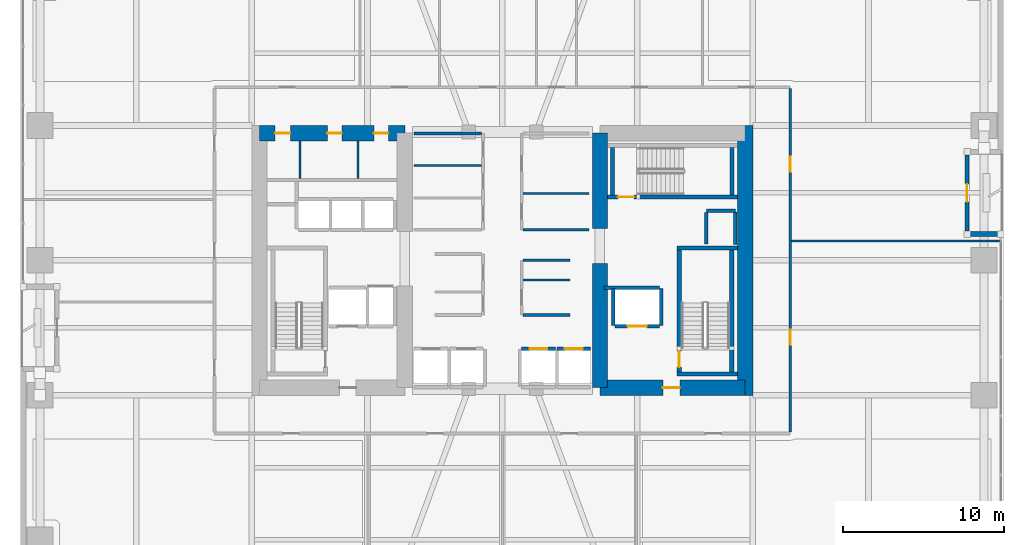
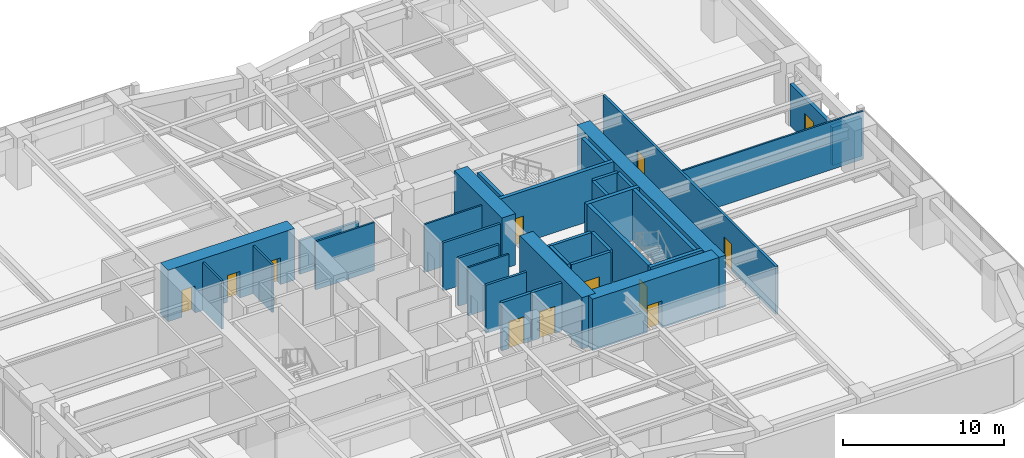
# One storey, part 24 of 28: 34 walls, 12 doors, 12 openings.
"""IFC4 building model written with IfcOpenShell, lengths in metres."""

from ifc_helpers import new_model, si_unit, direction, frame, frame_2d, origin, place, context, subcontext, project, spatial, rectangle, extrude, material, layer, layer_set, type_object, element, fill, save


model = new_model("IFC4")

# Units and contexts
model_context = context("Model", 3, precision=1e-05, world=origin(), true_north=direction((0.0, 1.0)))
body_context = subcontext(model_context, "Body", "Model", "MODEL_VIEW")
ifc_project = project(units=[si_unit("LENGTHUNIT", "METRE"), si_unit("AREAUNIT", "SQUARE_METRE"), si_unit("VOLUMEUNIT", "CUBIC_METRE"), si_unit("PLANEANGLEUNIT", "RADIAN"), si_unit("MASSUNIT", "GRAM", prefix="KILO")], contexts=[model_context])

# Site, building, storey
site_placement = place(None, origin())
site = spatial("IfcSite", under=ifc_project, at=site_placement, CompositionType="ELEMENT")
building_placement = place(site_placement, origin())
building = spatial("IfcBuilding", under=site, at=building_placement, Name="Kiyonajd Concourse Tower", CompositionType="ELEMENT")
storey_placement = place(building_placement, frame((0.0, 0.0, 41.10009765625)))
storey = spatial("IfcBuildingStorey", under=building, at=storey_placement, Name="L11", CompositionType="ELEMENT", Elevation=41.10009765625)

# Wall, openings, doors
ifc_material_1 = material(Name="Concrete C80/95", Category="concrete")
ifc_layer_1 = layer(ifc_material_1, 0.949951171875)
ifc_layer_set_1 = layer_set([ifc_layer_1], Name="Concrete C80/95")
wall_type_1 = type_object("IfcWallType", Name="WL-CORE-950", PredefinedType="SHEAR", material=ifc_layer_set_1)
wall_1_placement = place(storey_placement, frame((32.875, 43.925048828125, 0.0), z_axis=(0.0, 0.0, 1.0), x_axis=(1.0, 0.0, 0.0)))
wall_1 = element("IfcWall", 1, at=wall_1_placement, inside=storey, type_object=wall_type_1, Name="L11 West Core North Shear Wall", PredefinedType="SHEAR", context=body_context, shape_type="SweptSolid", body=[
    extrude(rectangle(XDim=9.050048828125, YDim=0.949951171875, at=frame_2d((4.52490234375, 0.0))), origin(), (0.0, 0.0, 1.0), 3.89990234375),
])
opening_1_placement = place(wall_1_placement, frame((0.97509765625, 0.0, 0.0)))
opening_1 = element("IfcOpeningElement", 2, at=opening_1_placement, cuts=wall_1, Name="Opening DI1", PredefinedType="OPENING", context=body_context, shape_type="SweptSolid", body=[
    extrude(rectangle(XDim=0.949951171875, YDim=2.0400390625, at=frame_2d((0.47509765625, 1.02001953125))), frame((0.0, 0.48486328125, 0.0), z_axis=(0.0, -1.0, 0.0), x_axis=(1.0, 0.0, 0.0)), (0.0, 0.0, 1.0), 0.969970703125),
])
opening_2_placement = place(wall_1_placement, frame((4.22509765625, 0.0, 0.0)))
opening_2 = element("IfcOpeningElement", 3, at=opening_2_placement, cuts=wall_1, Name="Opening DI2", PredefinedType="OPENING", context=body_context, shape_type="SweptSolid", body=[
    extrude(rectangle(XDim=0.89990234375, YDim=2.02001953125, at=frame_2d((0.449951171875, 1.010009765625))), frame((0.0, 0.48486328125, 0.0), z_axis=(0.0, -1.0, 0.0), x_axis=(1.0, 0.0, 0.0)), (0.0, 0.0, 1.0), 0.969970703125),
])
opening_3_placement = place(wall_1_placement, frame((7.125, 0.0, 0.0)))
opening_3 = element("IfcOpeningElement", 4, at=opening_3_placement, cuts=wall_1, Name="Opening DI2", PredefinedType="OPENING", context=body_context, shape_type="SweptSolid", body=[
    extrude(rectangle(XDim=0.89990234375, YDim=2.02001953125, at=frame_2d((0.449951171875, 1.010009765625))), frame((0.0, 0.48486328125, 0.0), z_axis=(0.0, -1.0, 0.0), x_axis=(1.0, 0.0, 0.0)), (0.0, 0.0, 1.0), 0.969970703125),
])
ifc_material_2 = material(Name="Natural Oak Acoustic Timber Veneer", Category="wood")
door_type_1 = type_object("IfcDoorType", Name="DR-INT-900", OperationType="NOTDEFINED", PredefinedType="DOOR", material=ifc_material_2)
door_1_placement = place(opening_2_placement, origin())
door_1 = element("IfcDoor", 5, at=door_1_placement, inside=storey, type_object=door_type_1, Name="L11 Male Restroom Door", OperationType="SINGLE_SWING_RIGHT", OverallHeight=2.02001953125, OverallWidth=0.89990234375, PredefinedType="DOOR", context=body_context, shape_type="SweptSolid", body=[
    extrude(rectangle(XDim=0.89990234375, YDim=2.02001953125, at=frame_2d((0.449951171875, 1.010009765625))), frame((0.0, 0.02490234375, 0.0), z_axis=(0.0, -1.0, 0.0), x_axis=(1.0, 0.0, 0.0)), (0.0, 0.0, 1.0), 0.050048828125),
])
fill(opening_2, door_1)
door_2_placement = place(opening_3_placement, origin())
door_2 = element("IfcDoor", 6, at=door_2_placement, inside=storey, type_object=door_type_1, Name="L11 Female Restroom Door", OperationType="SINGLE_SWING_LEFT", OverallHeight=2.02001953125, OverallWidth=0.89990234375, PredefinedType="DOOR", context=body_context, shape_type="SweptSolid", body=[
    extrude(rectangle(XDim=0.89990234375, YDim=2.02001953125, at=frame_2d((0.449951171875, 1.010009765625))), frame((0.0, 0.02490234375, 0.0), z_axis=(0.0, -1.0, 0.0), x_axis=(1.0, 0.0, 0.0)), (0.0, 0.0, 1.0), 0.050048828125),
])
fill(opening_3, door_2)
door_type_2 = type_object("IfcDoorType", Name="DR-INT-950", OperationType="NOTDEFINED", PredefinedType="DOOR", material=ifc_material_2)
door_3_placement = place(opening_1_placement, origin())
door_3 = element("IfcDoor", 7, at=door_3_placement, inside=storey, type_object=door_type_2, Name="L11 Single User Accessible WC Door", OperationType="SINGLE_SWING_LEFT", OverallHeight=2.0400390625, OverallWidth=0.949951171875, PredefinedType="DOOR", context=body_context, shape_type="SweptSolid", body=[
    extrude(rectangle(XDim=0.949951171875, YDim=2.0400390625, at=frame_2d((0.47509765625, 1.02001953125))), frame((0.0, 0.02490234375, 0.0), z_axis=(0.0, -1.0, 0.0), x_axis=(1.0, 0.0, 0.0)), (0.0, 0.0, 1.0), 0.050048828125),
])
fill(opening_1, door_3)

# Walls
wall_2_placement = place(storey_placement, frame((54.074951171875, 28.074951171875, 0.0), z_axis=(0.0, 0.0, 1.0), x_axis=(0.0, 1.0, 0.0)))
element("IfcWall", 8, at=wall_2_placement, inside=storey, type_object=wall_type_1, Name="L11 East Core Inner South Shear Wall", PredefinedType="SHEAR", context=body_context, shape_type="SweptSolid", body=[
    extrude(rectangle(XDim=7.72509765625, YDim=0.949951171875, at=frame_2d((3.862548828125, 0.0))), origin(), (0.0, 0.0, 1.0), 3.89990234375),
])
wall_3_placement = place(storey_placement, frame((54.074951171875, 38.0, 0.0), z_axis=(0.0, 0.0, 1.0), x_axis=(0.0, 1.0, 0.0)))
element("IfcWall", 9, at=wall_3_placement, inside=storey, type_object=wall_type_1, Name="L11 East Core Inner North Shear Wall", PredefinedType="SHEAR", context=body_context, shape_type="SweptSolid", body=[
    extrude(rectangle(XDim=5.925048828125, YDim=0.949951171875, at=frame_2d((2.96240234375, 0.0))), origin(), (0.0, 0.0, 1.0), 3.89990234375),
])
wall_4_placement = place(storey_placement, frame((63.125, 27.60009765625, 0.0), z_axis=(0.0, 0.0, 1.0), x_axis=(0.0, 1.0, 0.0)))
element("IfcWall", 10, at=wall_4_placement, inside=storey, type_object=wall_type_1, Name="L11 East Core Outer Shear Wall", PredefinedType="SHEAR", context=body_context, shape_type="SweptSolid", body=[
    extrude(rectangle(XDim=16.7998046875, YDim=0.949951171875, at=frame_2d((8.39990234375, 0.0))), origin(), (0.0, 0.0, 1.0), 3.89990234375),
])

# Wall, opening, door
wall_5_placement = place(storey_placement, frame((54.074951171875, 28.074951171875, 0.0), z_axis=(0.0, 0.0, 1.0), x_axis=(1.0, 0.0, 0.0)))
wall_5 = element("IfcWall", 11, at=wall_5_placement, inside=storey, type_object=wall_type_1, Name="L11 East Core South Shear Wall", PredefinedType="SHEAR", context=body_context, shape_type="SweptSolid", body=[
    extrude(rectangle(XDim=9.050048828125, YDim=0.949951171875, at=frame_2d((4.52490234375, 0.0))), origin(), (0.0, 0.0, 1.0), 3.89990234375),
])
opening_4_placement = place(wall_5_placement, frame((3.925048828125, 0.0, 0.0)))
opening_4 = element("IfcOpeningElement", 12, at=opening_4_placement, cuts=wall_5, Name="Opening DF5", PredefinedType="OPENING", context=body_context, shape_type="SweptSolid", body=[
    extrude(rectangle(XDim=1.050048828125, YDim=2.0400390625, at=frame_2d((0.52490234375, 1.02001953125))), frame((0.0, 0.48486328125, 0.0), z_axis=(0.0, -1.0, 0.0), x_axis=(1.0, 0.0, 0.0)), (0.0, 0.0, 1.0), 0.969970703125),
])
ifc_material_3 = material(Name="Brushed Stainless Steel Cab Assembly", Category="steel")
door_type_3 = type_object("IfcDoorType", Name="DR-FD45-1050", OperationType="NOTDEFINED", PredefinedType="DOOR", material=ifc_material_3)
door_4_placement = place(opening_4_placement, origin())
door_4 = element("IfcDoor", 13, at=door_4_placement, inside=storey, type_object=door_type_3, Name="L11 Firefighting Lift Lobby E Smoke Door", OperationType="SINGLE_SWING_RIGHT", OverallHeight=2.0400390625, OverallWidth=1.050048828125, PredefinedType="DOOR", context=body_context, shape_type="SweptSolid", body=[
    extrude(rectangle(XDim=1.050048828125, YDim=2.0400390625, at=frame_2d((0.52490234375, 1.02001953125))), frame((0.0, 0.02490234375, 0.0), z_axis=(0.0, -1.0, 0.0), x_axis=(1.0, 0.0, 0.0)), (0.0, 0.0, 1.0), 0.050048828125),
])
fill(opening_4, door_4)

# Wall
ifc_material_4 = material(Name="Precast concrete C50/60", Category="concrete")
ifc_layer_2 = layer(ifc_material_4, 0.320068359375)
ifc_layer_set_2 = layer_set([ifc_layer_2], Name="Precast concrete C50/60")
wall_type_2 = type_object("IfcWallType", Name="WL-EXT-320", PredefinedType="SOLIDWALL", material=ifc_layer_set_2)
wall_6_placement = place(storey_placement, frame((76.93994140625, 37.639892578125, 0.0), z_axis=(0.0, 0.0, 1.0), x_axis=(1.0, 0.0, 0.0)))
element("IfcWall", 14, at=wall_6_placement, inside=storey, type_object=wall_type_2, Name="L11 Exterior Concrete Frame Wall 23", PredefinedType="SOLIDWALL", context=body_context, shape_type="SweptSolid", body=[
    extrude(rectangle(XDim=2.10009765625, YDim=0.320068359375, at=frame_2d((1.050048828125, 0.0))), origin(), (0.0, 0.0, 1.0), 2.875),
])

# Wall, opening, door
ifc_layer_3 = layer(ifc_material_4, 0.239990234375)
ifc_layer_set_3 = layer_set([ifc_layer_3], Name="Precast concrete C50/60")
wall_type_3 = type_object("IfcWallType", Name="WL-LOG-240", PredefinedType="SOLIDWALL", material=ifc_layer_set_3)
wall_7_placement = place(storey_placement, frame((76.93994140625, 42.56494140625, 0.0), z_axis=(0.0, 0.0, 1.0), x_axis=(0.0, -1.0, 0.0)))
wall_7 = element("IfcWall", 15, at=wall_7_placement, inside=storey, type_object=wall_type_3, Name="L11 Recessed Loggia Thermal Wall LOG-E", PredefinedType="SOLIDWALL", context=body_context, shape_type="SweptSolid", body=[
    extrude(rectangle(XDim=4.72998046875, YDim=0.239990234375, at=frame_2d((2.364990234375, 0.0))), origin(), (0.0, 0.0, 1.0), 3.161865234375),
])
opening_5_placement = place(wall_7_placement, frame((1.81494140625, 0.0, 0.0)))
opening_5 = element("IfcOpeningElement", 16, at=opening_5_placement, cuts=wall_7, Name="Opening DL2", PredefinedType="OPENING", context=body_context, shape_type="SweptSolid", body=[
    extrude(rectangle(XDim=1.10009765625, YDim=2.0400390625, at=frame_2d((0.550048828125, 1.02001953125))), frame((0.0, 0.1298828125, 0.0), z_axis=(0.0, -1.0, 0.0), x_axis=(1.0, 0.0, 0.0)), (0.0, 0.0, 1.0), 0.260009765625),
])
ifc_material_5 = material(Name="Thermally Broken Anodised Aluminium", Category="aluminium")
door_type_4 = type_object("IfcDoorType", Name="DR-LOG-1100", OperationType="NOTDEFINED", PredefinedType="DOOR", material=ifc_material_5)
door_5_placement = place(opening_5_placement, origin())
door_5 = element("IfcDoor", 17, at=door_5_placement, inside=storey, type_object=door_type_4, Name="L11 Engawa Loggia Access Door LOG-E", OperationType="SINGLE_SWING_LEFT", OverallHeight=2.0400390625, OverallWidth=1.10009765625, PredefinedType="DOOR", context=body_context, shape_type="SweptSolid", body=[
    extrude(rectangle(XDim=1.10009765625, YDim=2.0400390625, at=frame_2d((0.550048828125, 1.02001953125))), frame((0.0, 0.02490234375, 0.0), z_axis=(0.0, -1.0, 0.0), x_axis=(1.0, 0.0, 0.0)), (0.0, 0.0, 1.0), 0.050048828125),
])
fill(opening_5, door_5)

# Walls
ifc_material_6 = material(Name="Gypsum Board on Cold-Formed Steel Stud", Category="steel")
ifc_layer_4 = layer(ifc_material_6, 0.125)
ifc_layer_set_4 = layer_set([ifc_layer_4], Name="Gypsum Board on Cold-Formed Steel Stud")
wall_type_4 = type_object("IfcWallType", Name="WL-PART-125", PredefinedType="PARTITIONING", material=ifc_layer_set_4)
for number, where, z_axis, x_axis, name in (
    (18, (35.39990234375, 41.094970703125, 0.0), (0.0, 0.0, 1.0), (0.0, 1.0, 0.0), "L11 Interior Partition Wall"),
    (19, (39.0, 41.094970703125, 0.0), (0.0, 0.0, 1.0), (0.0, 1.0, 0.0), "L11 Interior Partition Wall"),
):
    element("IfcWall", number, at=place(storey_placement, frame(where, z_axis=z_axis, x_axis=x_axis)), inside=storey, type_object=wall_type_4, Name=name, PredefinedType="PARTITIONING", context=body_context, shape_type="SweptSolid", body=[
        extrude(rectangle(XDim=2.35498046875, YDim=0.125, at=frame_2d((1.177490234375, 0.0))), origin(), (0.0, 0.0, 1.0), 3.639892578125),
    ])
wall_8_placement = place(storey_placement, frame((49.287109375, 34.77587890625, 0.0), z_axis=(0.0, 0.0, 1.0), x_axis=(1.0, 0.0, 0.0)))
element("IfcWall", 20, at=wall_8_placement, inside=storey, type_object=wall_type_4, Name="L11 Interior Partition Wall", PredefinedType="PARTITIONING", context=body_context, shape_type="SweptSolid", body=[
    extrude(rectangle(XDim=2.912841796875, YDim=0.125, at=frame_2d((1.45654296875, 0.0))), origin(), (0.0, 0.0, 1.0), 3.639892578125),
])
wall_9_placement = place(storey_placement, frame((42.5, 41.919921875, 0.0), z_axis=(0.0, 0.0, 1.0), x_axis=(1.0, 0.0, 0.0)))
element("IfcWall", 21, at=wall_9_placement, inside=storey, type_object=wall_type_4, Name="L11 Interior Partition Wall", PredefinedType="PARTITIONING", context=body_context, shape_type="SweptSolid", body=[
    extrude(rectangle(XDim=4.212890625, YDim=0.125, at=frame_2d((2.1064453125, 0.0))), origin(), (0.0, 0.0, 1.0), 3.639892578125),
])
wall_10_placement = place(storey_placement, frame((49.287109375, 40.179931640625, 0.0), z_axis=(0.0, 0.0, 1.0), x_axis=(1.0, 0.0, 0.0)))
element("IfcWall", 22, at=wall_10_placement, inside=storey, type_object=wall_type_4, Name="L11 Interior Partition Wall", PredefinedType="PARTITIONING", context=body_context, shape_type="SweptSolid", body=[
    extrude(rectangle(XDim=4.11279296875, YDim=0.125, at=frame_2d((2.056396484375, 0.0))), origin(), (0.0, 0.0, 1.0), 3.639892578125),
])
wall_11_placement = place(storey_placement, frame((66.011962890625, 37.199951171875, 0.0), z_axis=(0.0, 0.0, 1.0), x_axis=(1.0, 0.0, 0.0)))
element("IfcWall", 23, at=wall_11_placement, inside=storey, type_object=wall_type_4, Name="L11 Interior Partition Wall", PredefinedType="PARTITIONING", context=body_context, shape_type="SweptSolid", body=[
    extrude(rectangle(XDim=12.943115234375, YDim=0.125, at=frame_2d((6.4716796875, 0.0))), origin(), (0.0, 0.0, 1.0), 3.639892578125),
])
ifc_layer_5 = layer(ifc_material_6, 0.2099609375)
ifc_layer_set_5 = layer_set([ifc_layer_5], Name="Gypsum Board on Cold-Formed Steel Stud")
wall_type_5 = type_object("IfcWallType", Name="WL-SHAFT-210", PredefinedType="PARTITIONING", material=ifc_layer_set_5)
wall_12_placement = place(storey_placement, frame((60.719970703125, 39.10009765625, 0.0), z_axis=(0.0, 0.0, 1.0), x_axis=(1.0, 0.0, 0.0)))
element("IfcWall", 24, at=wall_12_placement, inside=storey, type_object=wall_type_5, Name="L11 Shaft Enclosure Wall", PredefinedType="PARTITIONING", context=body_context, shape_type="SweptSolid", body=[
    extrude(rectangle(XDim=1.800048828125, YDim=0.2099609375, at=frame_2d((0.89990234375, 0.0))), origin(), (0.0, 0.0, 1.0), 3.639892578125),
])
wall_13_placement = place(storey_placement, frame((60.699951171875, 37.02001953125, 0.0), z_axis=(0.0, 0.0, 1.0), x_axis=(0.0, 1.0, 0.0)))
element("IfcWall", 25, at=wall_13_placement, inside=storey, type_object=wall_type_5, Name="L11 Shaft Enclosure Wall", PredefinedType="PARTITIONING", context=body_context, shape_type="SweptSolid", body=[
    extrude(rectangle(XDim=1.9599609375, YDim=0.2099609375, at=frame_2d((0.97998046875, 0.0))), origin(), (0.0, 0.0, 1.0), 3.639892578125),
])
wall_14_placement = place(storey_placement, frame((62.5, 36.97998046875, 0.0), z_axis=(0.0, 0.0, 1.0), x_axis=(0.0, 1.0, 0.0)))
element("IfcWall", 26, at=wall_14_placement, inside=storey, type_object=wall_type_5, Name="L11 Shaft Enclosure Wall", PredefinedType="PARTITIONING", context=body_context, shape_type="SweptSolid", body=[
    extrude(rectangle(XDim=2.0400390625, YDim=0.2099609375, at=frame_2d((1.02001953125, 0.0))), origin(), (0.0, 0.0, 1.0), 3.639892578125),
])

# Wall, opening, door
wall_15_placement = place(storey_placement, frame((55.0, 31.89990234375, 0.0), z_axis=(0.0, 0.0, 1.0), x_axis=(1.0, 0.0, 0.0)))
wall_15 = element("IfcWall", 27, at=wall_15_placement, inside=storey, type_object=wall_type_5, Name="L11 Shaft Enclosure Wall", PredefinedType="PARTITIONING", context=body_context, shape_type="SweptSolid", body=[
    extrude(rectangle(XDim=2.800048828125, YDim=0.2099609375, at=frame_2d((1.39990234375, 0.0))), origin(), (0.0, 0.0, 1.0), 3.639892578125),
])
opening_6_placement = place(wall_15_placement, frame((0.800048828125, 0.0, 0.0)))
opening_6 = element("IfcOpeningElement", 28, at=opening_6_placement, cuts=wall_15, Name="Opening LD2", PredefinedType="OPENING", context=body_context, shape_type="SweptSolid", body=[
    extrude(rectangle(XDim=1.199951171875, YDim=2.0400390625, at=frame_2d((0.60009765625, 1.02001953125))), frame((0.0, 0.114990234375, 0.0), z_axis=(0.0, -1.0, 0.0), x_axis=(1.0, 0.0, 0.0)), (0.0, 0.0, 1.0), 0.22998046875),
])
door_type_5 = type_object("IfcDoorType", Name="DR-LD-1200", OperationType="DOUBLE_DOOR_SLIDING", PredefinedType="DOOR", material=ifc_material_3)
door_6_placement = place(opening_6_placement, origin())
door_6 = element("IfcDoor", 29, at=door_6_placement, inside=storey, type_object=door_type_5, Name="L11 Lift FFL2 Sliding Landing Door", OperationType="DOUBLE_DOOR_SLIDING", OverallHeight=2.0400390625, OverallWidth=1.199951171875, PredefinedType="DOOR", context=body_context, shape_type="SweptSolid", body=[
    extrude(rectangle(XDim=1.199951171875, YDim=2.0400390625, at=frame_2d((0.60009765625, 1.02001953125))), frame((0.0, 0.02490234375, 0.0), z_axis=(0.0, -1.0, 0.0), x_axis=(1.0, 0.0, 0.0)), (0.0, 0.0, 1.0), 0.050048828125),
])
fill(opening_6, door_6)

# Walls
wall_16_placement = place(storey_placement, frame((54.320068359375, 34.300048828125, 0.0), z_axis=(0.0, 0.0, 1.0), x_axis=(1.0, 0.0, 0.0)))
element("IfcWall", 30, at=wall_16_placement, inside=storey, type_object=wall_type_5, Name="L11 Shaft Enclosure Wall", PredefinedType="PARTITIONING", context=body_context, shape_type="SweptSolid", body=[
    extrude(rectangle(XDim=3.47998046875, YDim=0.2099609375, at=frame_2d((1.739990234375, 0.0))), origin(), (0.0, 0.0, 1.0), 3.639892578125),
])
for number, where, z_axis, x_axis, name in (
    (31, (54.89990234375, 31.9599609375, 0.0), (0.0, 0.0, 1.0), (0.0, 1.0, 0.0), "L11 Shaft Enclosure Wall"),
    (32, (57.89990234375, 31.9599609375, 0.0), (0.0, 0.0, 1.0), (0.0, 1.0, 0.0), "L11 Shaft Enclosure Wall"),
):
    element("IfcWall", number, at=place(storey_placement, frame(where, z_axis=z_axis, x_axis=x_axis)), inside=storey, type_object=wall_type_5, Name=name, PredefinedType="PARTITIONING", context=body_context, shape_type="SweptSolid", body=[
        extrude(rectangle(XDim=2.280029296875, YDim=0.2099609375, at=frame_2d((1.14013671875, 0.0))), origin(), (0.0, 0.0, 1.0), 3.639892578125),
    ])

# Wall, opening, door
wall_17_placement = place(storey_placement, frame((49.199951171875, 30.5, 0.0), z_axis=(0.0, 0.0, 1.0), x_axis=(1.0, 0.0, 0.0)))
wall_17 = element("IfcWall", 33, at=wall_17_placement, inside=storey, type_object=wall_type_5, Name="L11 Shaft Enclosure Wall", PredefinedType="PARTITIONING", context=body_context, shape_type="SweptSolid", body=[
    extrude(rectangle(XDim=2.10009765625, YDim=0.2099609375, at=frame_2d((1.050048828125, 0.0))), origin(), (0.0, 0.0, 1.0), 3.639892578125),
])
opening_7_placement = place(wall_17_placement, frame((0.5, 0.0, 0.0)))
opening_7 = element("IfcOpeningElement", 34, at=opening_7_placement, cuts=wall_17, Name="Opening LD1", PredefinedType="OPENING", context=body_context, shape_type="SweptSolid", body=[
    extrude(rectangle(XDim=1.10009765625, YDim=2.0400390625, at=frame_2d((0.550048828125, 1.02001953125))), frame((0.0, 0.114990234375, 0.0), z_axis=(0.0, -1.0, 0.0), x_axis=(1.0, 0.0, 0.0)), (0.0, 0.0, 1.0), 0.22998046875),
])
door_type_6 = type_object("IfcDoorType", Name="DR-LD-1100", OperationType="DOUBLE_DOOR_SLIDING", PredefinedType="DOOR", material=ifc_material_3)
door_7_placement = place(opening_7_placement, origin())
door_7 = element("IfcDoor", 35, at=door_7_placement, inside=storey, type_object=door_type_6, Name="L11 Lift PL-L3 Sliding Landing Door", OperationType="DOUBLE_DOOR_SLIDING", OverallHeight=2.0400390625, OverallWidth=1.10009765625, PredefinedType="DOOR", context=body_context, shape_type="SweptSolid", body=[
    extrude(rectangle(XDim=1.10009765625, YDim=2.0400390625, at=frame_2d((0.550048828125, 1.02001953125))), frame((0.0, 0.02490234375, 0.0), z_axis=(0.0, -1.0, 0.0), x_axis=(1.0, 0.0, 0.0)), (0.0, 0.0, 1.0), 0.050048828125),
])
fill(opening_7, door_7)

wall_18_placement = place(storey_placement, frame((51.39990234375, 30.5, 0.0), z_axis=(0.0, 0.0, 1.0), x_axis=(1.0, 0.0, 0.0)))
wall_18 = element("IfcWall", 36, at=wall_18_placement, inside=storey, type_object=wall_type_5, Name="L11 Shaft Enclosure Wall", PredefinedType="PARTITIONING", context=body_context, shape_type="SweptSolid", body=[
    extrude(rectangle(XDim=2.10009765625, YDim=0.2099609375, at=frame_2d((1.050048828125, 0.0))), origin(), (0.0, 0.0, 1.0), 3.639892578125),
])
opening_8_placement = place(wall_18_placement, frame((0.5, 0.0, 0.0)))
opening_8 = element("IfcOpeningElement", 37, at=opening_8_placement, cuts=wall_18, Name="Opening LD1", PredefinedType="OPENING", context=body_context, shape_type="SweptSolid", body=[
    extrude(rectangle(XDim=1.10009765625, YDim=2.0400390625, at=frame_2d((0.550048828125, 1.02001953125))), frame((0.0, 0.114990234375, 0.0), z_axis=(0.0, -1.0, 0.0), x_axis=(1.0, 0.0, 0.0)), (0.0, 0.0, 1.0), 0.22998046875),
])
door_8_placement = place(opening_8_placement, origin())
door_8 = element("IfcDoor", 38, at=door_8_placement, inside=storey, type_object=door_type_6, Name="L11 Lift PL-L4 Sliding Landing Door", OperationType="DOUBLE_DOOR_SLIDING", OverallHeight=2.0400390625, OverallWidth=1.10009765625, PredefinedType="DOOR", context=body_context, shape_type="SweptSolid", body=[
    extrude(rectangle(XDim=1.10009765625, YDim=2.0400390625, at=frame_2d((0.550048828125, 1.02001953125))), frame((0.0, 0.02490234375, 0.0), z_axis=(0.0, -1.0, 0.0), x_axis=(1.0, 0.0, 0.0)), (0.0, 0.0, 1.0), 0.050048828125),
])
fill(opening_8, door_8)

# Walls
ifc_layer_6 = layer(ifc_material_6, 0.169921875)
ifc_layer_set_6 = layer_set([ifc_layer_6], Name="Gypsum Board on Cold-Formed Steel Stud")
wall_type_6 = type_object("IfcWallType", Name="WL-SMK-170", PredefinedType="PARTITIONING", material=ifc_layer_set_6)
for number, where, z_axis, x_axis, name in (
    (39, (49.287109375, 32.60009765625, 0.0), (0.0, 0.0, 1.0), (1.0, 0.0, 0.0), "L11 Interior Partition Wall"),
    (40, (49.287109375, 36.0, 0.0), (0.0, 0.0, 1.0), (1.0, 0.0, 0.0), "L11 Interior Partition Wall"),
):
    element("IfcWall", number, at=place(storey_placement, frame(where, z_axis=z_axis, x_axis=x_axis)), inside=storey, type_object=wall_type_6, Name=name, PredefinedType="PARTITIONING", context=body_context, shape_type="SweptSolid", body=[
        extrude(rectangle(XDim=2.912841796875, YDim=0.169921875, at=frame_2d((1.45654296875, 0.0))), origin(), (0.0, 0.0, 1.0), 3.639892578125),
    ])
wall_19_placement = place(storey_placement, frame((42.5, 43.89990234375, 0.0), z_axis=(0.0, 0.0, 1.0), x_axis=(1.0, 0.0, 0.0)))
element("IfcWall", 41, at=wall_19_placement, inside=storey, type_object=wall_type_6, Name="L11 Interior Partition Wall", PredefinedType="PARTITIONING", context=body_context, shape_type="SweptSolid", body=[
    extrude(rectangle(XDim=4.212890625, YDim=0.169921875, at=frame_2d((2.1064453125, 0.0))), origin(), (0.0, 0.0, 1.0), 2.52490234375),
])
wall_20_placement = place(storey_placement, frame((49.287109375, 37.89990234375, 0.0), z_axis=(0.0, 0.0, 1.0), x_axis=(1.0, 0.0, 0.0)))
element("IfcWall", 42, at=wall_20_placement, inside=storey, type_object=wall_type_6, Name="L11 Interior Partition Wall", PredefinedType="PARTITIONING", context=body_context, shape_type="SweptSolid", body=[
    extrude(rectangle(XDim=4.11279296875, YDim=0.169921875, at=frame_2d((2.056396484375, 0.0))), origin(), (0.0, 0.0, 1.0), 3.639892578125),
])

# Wall, openings, doors
wall_21_placement = place(storey_placement, frame((65.925048828125, 25.306884765625, 0.0), z_axis=(0.0, 0.0, 1.0), x_axis=(0.0, 1.0, 0.0)))
wall_21 = element("IfcWall", 43, at=wall_21_placement, inside=storey, type_object=wall_type_6, Name="L11 Interior Partition Wall", PredefinedType="PARTITIONING", context=body_context, shape_type="SweptSolid", body=[
    extrude(rectangle(XDim=21.38623046875, YDim=0.169921875, at=frame_2d((10.693115234375, 0.0))), origin(), (0.0, 0.0, 1.0), 3.639892578125),
])
opening_9_placement = place(wall_21_placement, frame((5.427978515625, 0.0, 0.0)))
opening_9 = element("IfcOpeningElement", 44, at=opening_9_placement, cuts=wall_21, Name="Opening DI1", PredefinedType="OPENING", context=body_context, shape_type="SweptSolid", body=[
    extrude(rectangle(XDim=0.949951171875, YDim=2.0400390625, at=frame_2d((0.47509765625, 1.02001953125))), frame((0.0, 0.094970703125, 0.0), z_axis=(0.0, -1.0, 0.0), x_axis=(1.0, 0.0, 0.0)), (0.0, 0.0, 1.0), 0.18994140625),
])
opening_10_placement = place(wall_21_placement, frame((16.2080078125, 0.0, 0.0)))
opening_10 = element("IfcOpeningElement", 45, at=opening_10_placement, cuts=wall_21, Name="Opening DI1", PredefinedType="OPENING", context=body_context, shape_type="SweptSolid", body=[
    extrude(rectangle(XDim=0.949951171875, YDim=2.0400390625, at=frame_2d((0.47509765625, 1.02001953125))), frame((0.0, 0.094970703125, 0.0), z_axis=(0.0, -1.0, 0.0), x_axis=(1.0, 0.0, 0.0)), (0.0, 0.0, 1.0), 0.18994140625),
])
door_9_placement = place(opening_9_placement, origin())
door_9 = element("IfcDoor", 46, at=door_9_placement, inside=storey, type_object=door_type_2, Name="L11 Interior Door", OperationType="SINGLE_SWING_RIGHT", OverallHeight=2.0400390625, OverallWidth=0.949951171875, PredefinedType="DOOR", context=body_context, shape_type="SweptSolid", body=[
    extrude(rectangle(XDim=0.949951171875, YDim=2.0400390625, at=frame_2d((0.47509765625, 1.02001953125))), frame((0.0, 0.02490234375, 0.0), z_axis=(0.0, -1.0, 0.0), x_axis=(1.0, 0.0, 0.0)), (0.0, 0.0, 1.0), 0.050048828125),
])
fill(opening_9, door_9)
door_10_placement = place(opening_10_placement, origin())
door_10 = element("IfcDoor", 47, at=door_10_placement, inside=storey, type_object=door_type_2, Name="L11 Interior Door", OperationType="SINGLE_SWING_LEFT", OverallHeight=2.0400390625, OverallWidth=0.949951171875, PredefinedType="DOOR", context=body_context, shape_type="SweptSolid", body=[
    extrude(rectangle(XDim=0.949951171875, YDim=2.0400390625, at=frame_2d((0.47509765625, 1.02001953125))), frame((0.0, 0.02490234375, 0.0), z_axis=(0.0, -1.0, 0.0), x_axis=(1.0, 0.0, 0.0)), (0.0, 0.0, 1.0), 0.050048828125),
])
fill(opening_10, door_10)

# Walls
ifc_material_7 = material(Name="Concrete C50/60", Category="concrete")
ifc_layer_7 = layer(ifc_material_7, 0.260009765625)
ifc_layer_set_7 = layer_set([ifc_layer_7], Name="Concrete C50/60")
wall_type_7 = type_object("IfcWallType", Name="WL-STAIR-260", PredefinedType="SHEAR", material=ifc_layer_set_7)
for number, where, z_axis, x_axis, name in (
    (48, (58.889892578125, 28.919921875, 0.0), (0.0, 0.0, 1.0), (1.0, 0.0, 0.0), "L11 Stair ST2 Structural South Wall"),
    (49, (58.889892578125, 36.780029296875, 0.0), (0.0, 0.0, 1.0), (1.0, 0.0, 0.0), "L11 Stair ST2 Structural North Wall"),
):
    element("IfcWall", number, at=place(storey_placement, frame(where, z_axis=z_axis, x_axis=x_axis)), inside=storey, type_object=wall_type_7, Name=name, PredefinedType="SHEAR", context=body_context, shape_type="SweptSolid", body=[
        extrude(rectangle(XDim=3.760009765625, YDim=0.260009765625, at=frame_2d((1.8798828125, 0.0))), origin(), (0.0, 0.0, 1.0), 3.89990234375),
    ])

# Wall, opening, door
wall_22_placement = place(storey_placement, frame((59.02001953125, 29.050048828125, 0.0), z_axis=(0.0, 0.0, 1.0), x_axis=(0.0, 1.0, 0.0)))
wall_22 = element("IfcWall", 50, at=wall_22_placement, inside=storey, type_object=wall_type_7, Name="L11 Stair ST2 Structural West Wall", PredefinedType="SHEAR", context=body_context, shape_type="SweptSolid", body=[
    extrude(rectangle(XDim=7.599853515625, YDim=0.260009765625, at=frame_2d((3.7998046875, 0.0))), origin(), (0.0, 0.0, 1.0), 3.89990234375),
])
opening_11_placement = place(wall_22_placement, frame((0.300048828125, 0.0, 0.0)))
opening_11 = element("IfcOpeningElement", 51, at=opening_11_placement, cuts=wall_22, Name="Opening DF1", PredefinedType="OPENING", context=body_context, shape_type="SweptSolid", body=[
    extrude(rectangle(XDim=1.0, YDim=2.0400390625, at=frame_2d((0.5, 1.02001953125))), frame((0.0, 0.139892578125, 0.0), z_axis=(0.0, -1.0, 0.0), x_axis=(1.0, 0.0, 0.0)), (0.0, 0.0, 1.0), 0.280029296875),
])
door_type_7 = type_object("IfcDoorType", Name="DR-FD90-1000", OperationType="NOTDEFINED", PredefinedType="DOOR", material=ifc_material_3)
door_11_placement = place(opening_11_placement, origin())
door_11 = element("IfcDoor", 52, at=door_11_placement, inside=storey, type_object=door_type_7, Name="L11 Stair ST2 FSAE Door", OperationType="SINGLE_SWING_RIGHT", OverallHeight=2.0400390625, OverallWidth=1.0, PredefinedType="DOOR", context=body_context, shape_type="SweptSolid", body=[
    extrude(rectangle(XDim=1.0, YDim=2.0400390625, at=frame_2d((0.5, 1.02001953125))), frame((0.0, 0.02490234375, 0.0), z_axis=(0.0, -1.0, 0.0), x_axis=(1.0, 0.0, 0.0)), (0.0, 0.0, 1.0), 0.050048828125),
])
fill(opening_11, door_11)

# Wall
wall_23_placement = place(storey_placement, frame((62.280029296875, 29.050048828125, 0.0), z_axis=(0.0, 0.0, 1.0), x_axis=(0.0, 1.0, 0.0)))
element("IfcWall", 53, at=wall_23_placement, inside=storey, type_object=wall_type_7, Name="L11 Stair ST2 Structural East Wall", PredefinedType="SHEAR", context=body_context, shape_type="SweptSolid", body=[
    extrude(rectangle(XDim=7.599853515625, YDim=0.260009765625, at=frame_2d((3.7998046875, 0.0))), origin(), (0.0, 0.0, 1.0), 3.89990234375),
])

# Wall, opening, door
wall_24_placement = place(storey_placement, frame((54.550048828125, 39.949951171875, 0.0), z_axis=(0.0, 0.0, 1.0), x_axis=(1.0, 0.0, 0.0)))
wall_24 = element("IfcWall", 54, at=wall_24_placement, inside=storey, type_object=wall_type_7, Name="L11 Stair ST3 Structural South Wall", PredefinedType="SHEAR", context=body_context, shape_type="SweptSolid", body=[
    extrude(rectangle(XDim=8.099853515625, YDim=0.260009765625, at=frame_2d((4.0498046875, 0.0))), origin(), (0.0, 0.0, 1.0), 3.89990234375),
])
opening_12_placement = place(wall_24_placement, frame((0.64990234375, 0.0, 0.0)))
opening_12 = element("IfcOpeningElement", 55, at=opening_12_placement, cuts=wall_24, Name="Opening DF1", PredefinedType="OPENING", context=body_context, shape_type="SweptSolid", body=[
    extrude(rectangle(XDim=1.0, YDim=2.0400390625, at=frame_2d((0.5, 1.02001953125))), frame((0.0, 0.139892578125, 0.0), z_axis=(0.0, -1.0, 0.0), x_axis=(1.0, 0.0, 0.0)), (0.0, 0.0, 1.0), 0.280029296875),
])
door_12_placement = place(opening_12_placement, origin())
door_12 = element("IfcDoor", 56, at=door_12_placement, inside=storey, type_object=door_type_7, Name="L11 Stair ST3 Enclosure Door", OperationType="SINGLE_SWING_LEFT", OverallHeight=2.0400390625, OverallWidth=1.0, PredefinedType="DOOR", context=body_context, shape_type="SweptSolid", body=[
    extrude(rectangle(XDim=1.0, YDim=2.0400390625, at=frame_2d((0.5, 1.02001953125))), frame((0.0, 0.02490234375, 0.0), z_axis=(0.0, -1.0, 0.0), x_axis=(1.0, 0.0, 0.0)), (0.0, 0.0, 1.0), 0.050048828125),
])
fill(opening_12, door_12)

# Walls
for number, where, z_axis, x_axis, name in (
    (57, (54.85009765625, 40.080078125, 0.0), (0.0, 0.0, 1.0), (0.0, 1.0, 0.0), "L11 Stair ST3 Structural West Wall"),
    (58, (62.31005859375, 40.080078125, 0.0), (0.0, 0.0, 1.0), (0.0, 1.0, 0.0), "L11 Stair ST3 Structural East Wall"),
):
    element("IfcWall", number, at=place(storey_placement, frame(where, z_axis=z_axis, x_axis=x_axis)), inside=storey, type_object=wall_type_7, Name=name, PredefinedType="SHEAR", context=body_context, shape_type="SweptSolid", body=[
        extrude(rectangle(XDim=2.93994140625, YDim=0.260009765625, at=frame_2d((1.469970703125, 0.0))), origin(), (0.0, 0.0, 1.0), 3.89990234375),
    ])

save(model, "model.ifc")
